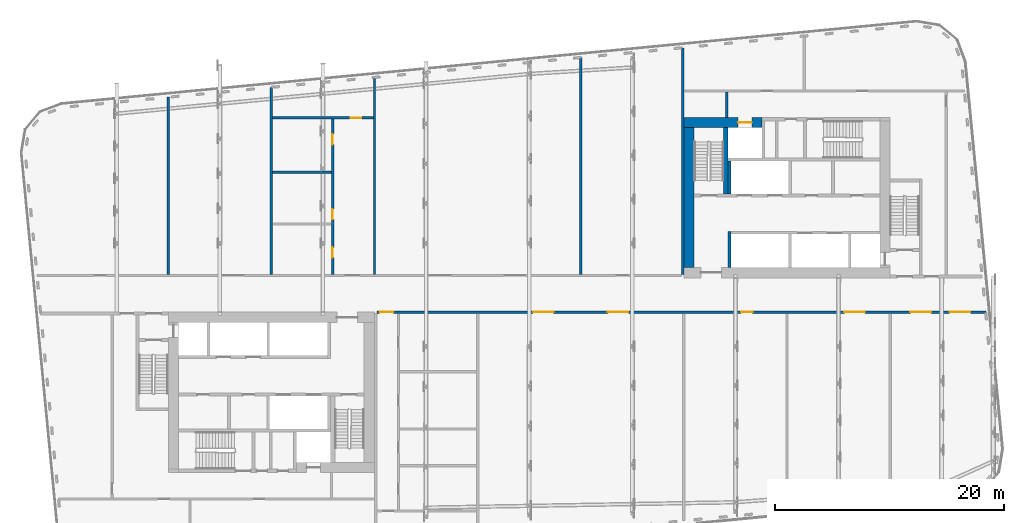
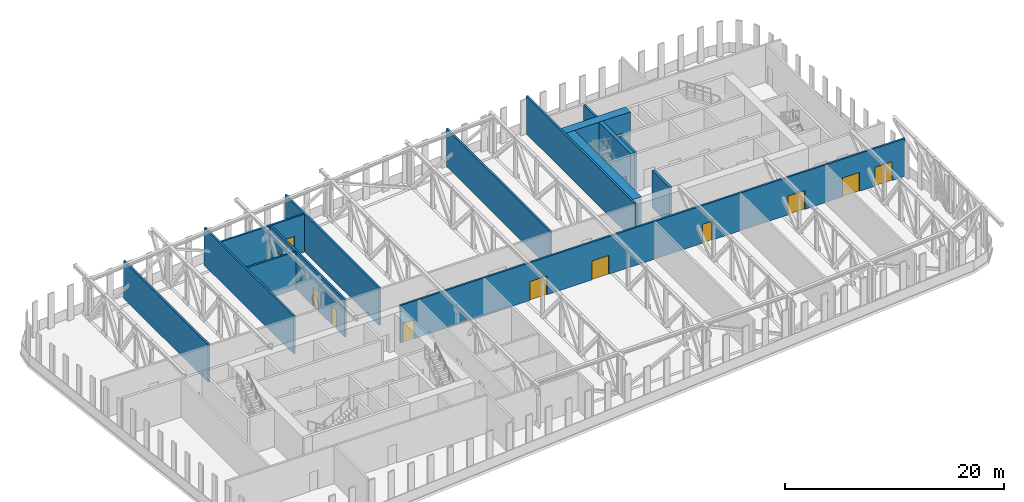
# One storey, part 10 of 26: 15 walls, 12 doors, 12 openings.
"""IFC4 building model written with IfcOpenShell, lengths in metres."""

from ifc_helpers import new_model, si_unit, direction, frame, frame_2d, origin, place, context, subcontext, project, spatial, rectangle, extrude, material, layer, layer_set, type_object, element, fill, save


model = new_model("IFC4")

# Units and contexts
model_context = context("Model", 3, precision=1e-05, world=origin(), true_north=direction((0.0, 1.0)))
body_context = subcontext(model_context, "Body", "Model", "MODEL_VIEW")
ifc_project = project(units=[si_unit("LENGTHUNIT", "METRE"), si_unit("AREAUNIT", "SQUARE_METRE"), si_unit("VOLUMEUNIT", "CUBIC_METRE"), si_unit("PLANEANGLEUNIT", "RADIAN"), si_unit("MASSUNIT", "GRAM", prefix="KILO")], contexts=[model_context])

# Site, building, storey
site_placement = place(None, origin())
site = spatial("IfcSite", under=ifc_project, at=site_placement, CompositionType="ELEMENT")
building_placement = place(site_placement, origin())
building = spatial("IfcBuilding", under=site, at=building_placement, Name="Kajstack Hotel Tower", CompositionType="ELEMENT")
storey_placement = place(building_placement, frame((0.0, 0.0, 206.5)))
storey = spatial("IfcBuildingStorey", under=building, at=storey_placement, Name="L50", CompositionType="ELEMENT", Elevation=206.5)

# Wall, opening, door
ifc_material_1 = material(Name="Concrete C60/75", Category="concrete")
ifc_layer_1 = layer(ifc_material_1, 0.89990234375)
ifc_layer_set_1 = layer_set([ifc_layer_1], Name="Core wall 900")
wall_type_1 = type_object("IfcWallType", Name="Core wall 900", PredefinedType="SHEAR", material=ifc_layer_set_1)
wall_1_placement = place(storey_placement, frame((13.5, 15.050048828125, 0.0), z_axis=(0.0, 0.0, 1.0), x_axis=(1.0, 0.0, 0.0)))
wall_1 = element("IfcWall", 1, at=wall_1_placement, inside=storey, type_object=wall_type_1, Name="Core wall E RS", PredefinedType="SHEAR", context=body_context, shape_type="SweptSolid", body=[
    extrude(rectangle(XDim=6.800048828125, YDim=0.89990234375, at=frame_2d((3.39990234375, 0.0))), origin(), (0.0, 0.0, 1.0), 4.199951171875),
])
opening_1_placement = place(wall_1_placement, frame((4.72509765625, 0.0, 0.0)))
opening_1 = element("IfcOpeningElement", 2, at=opening_1_placement, cuts=wall_1, Name="Opening LD-SV2", PredefinedType="OPENING", context=body_context, shape_type="SweptSolid", body=[
    extrude(rectangle(XDim=1.199951171875, YDim=2.10009765625, at=frame_2d((0.60009765625, 1.050048828125))), frame((0.0, 0.4599609375, 0.0), z_axis=(0.0, -1.0, 0.0), x_axis=(1.0, 0.0, 0.0)), (0.0, 0.0, 1.0), 0.919921875),
])
ifc_material_2 = material(Name="Stainless steel", Category="steel")
door_type_1 = type_object("IfcDoorType", Name="Lift landing door 1200", OperationType="SLIDING_TO_LEFT", PredefinedType="DOOR", material=ifc_material_2)
door_1_placement = place(opening_1_placement, origin())
door_1 = element("IfcDoor", 3, at=door_1_placement, inside=storey, type_object=door_type_1, Name="Landing door SV2", OperationType="SLIDING_TO_LEFT", OverallHeight=2.10009765625, OverallWidth=1.199951171875, PredefinedType="DOOR", context=body_context, shape_type="SweptSolid", body=[
    extrude(rectangle(XDim=1.199951171875, YDim=2.10009765625, at=frame_2d((0.60009765625, 1.050048828125))), frame((0.0, 0.02490234375, 0.0), z_axis=(0.0, -1.0, 0.0), x_axis=(1.0, 0.0, 0.0)), (0.0, 0.0, 1.0), 0.050048828125),
])
fill(opening_1, door_1)

# Walls
wall_2_placement = place(storey_placement, frame((13.949951171875, 2.39990234375, 0.0), z_axis=(0.0, 0.0, 1.0), x_axis=(0.0, 1.0, 0.0)))
element("IfcWall", 4, at=wall_2_placement, inside=storey, type_object=wall_type_1, Name="Core wall E RE", PredefinedType="SHEAR", context=body_context, shape_type="SweptSolid", body=[
    extrude(rectangle(XDim=12.2001953125, YDim=0.89990234375, at=frame_2d((6.10009765625, 0.0))), origin(), (0.0, 0.0, 1.0), 4.199951171875),
])
ifc_material_3 = material(Name="Gypsum board on steel studs, mineral wool", Category="steel")
ifc_layer_2 = layer(ifc_material_3, 0.199951171875)
ifc_layer_set_2 = layer_set([ifc_layer_2], Name="Public partition 200")
wall_type_2 = type_object("IfcWallType", Name="Public partition 200", PredefinedType="PARTITIONING", material=ifc_layer_set_2)
wall_3_placement = place(storey_placement, frame((4.5, 1.800048828125, 0.0), z_axis=(0.0, 0.0, 1.0), x_axis=(0.0, 1.0, 0.0)))
element("IfcWall", 5, at=wall_3_placement, inside=storey, type_object=wall_type_2, Name="Partition PX0", PredefinedType="PARTITIONING", context=body_context, shape_type="SweptSolid", body=[
    extrude(rectangle(XDim=18.922607421875, YDim=0.199951171875, at=frame_2d((9.46142578125, 0.0))), origin(), (0.0, 0.0, 1.0), 4.199951171875),
])
wall_4_placement = place(storey_placement, frame((-13.5, 1.800048828125, 0.0), z_axis=(0.0, 0.0, 1.0), x_axis=(0.0, 1.0, 0.0)))
element("IfcWall", 6, at=wall_4_placement, inside=storey, type_object=wall_type_2, Name="Partition PX1", PredefinedType="PARTITIONING", context=body_context, shape_type="SweptSolid", body=[
    extrude(rectangle(XDim=17.189453125, YDim=0.199951171875, at=frame_2d((8.5947265625, 0.0))), origin(), (0.0, 0.0, 1.0), 4.199951171875),
])

# Wall, openings, doors
wall_5_placement = place(storey_placement, frame((-17.14990234375, 1.800048828125, 0.0), z_axis=(0.0, 0.0, 1.0), x_axis=(0.0, 1.0, 0.0)))
wall_5 = element("IfcWall", 7, at=wall_5_placement, inside=storey, type_object=wall_type_2, Name="Partition C2CW", PredefinedType="PARTITIONING", context=body_context, shape_type="SweptSolid", body=[
    extrude(rectangle(XDim=13.55615234375, YDim=0.199951171875, at=frame_2d((6.778076171875, 0.0))), origin(), (0.0, 0.0, 1.0), 4.199951171875),
])
opening_2_placement = place(wall_5_placement, frame((1.449951171875, 0.0, 0.0)))
opening_2 = element("IfcOpeningElement", 8, at=opening_2_placement, cuts=wall_5, Name="Opening 50P05", PredefinedType="OPENING", context=body_context, shape_type="SweptSolid", body=[
    extrude(rectangle(XDim=0.89990234375, YDim=2.10009765625, at=frame_2d((0.449951171875, 1.050048828125))), frame((0.0, 0.10986328125, 0.0), z_axis=(0.0, -1.0, 0.0), x_axis=(1.0, 0.0, 0.0)), (0.0, 0.0, 1.0), 0.219970703125),
])
opening_3_placement = place(wall_5_placement, frame((4.800048828125, 0.0, 0.0)))
opening_3 = element("IfcOpeningElement", 9, at=opening_3_placement, cuts=wall_5, Name="Opening 50P06", PredefinedType="OPENING", context=body_context, shape_type="SweptSolid", body=[
    extrude(rectangle(XDim=0.89990234375, YDim=2.10009765625, at=frame_2d((0.449951171875, 1.050048828125))), frame((0.0, 0.10986328125, 0.0), z_axis=(0.0, -1.0, 0.0), x_axis=(1.0, 0.0, 0.0)), (0.0, 0.0, 1.0), 0.219970703125),
])
opening_4_placement = place(wall_5_placement, frame((11.327880859375, 0.0, 0.0)))
opening_4 = element("IfcOpeningElement", 10, at=opening_4_placement, cuts=wall_5, Name="Opening 50P07", PredefinedType="OPENING", context=body_context, shape_type="SweptSolid", body=[
    extrude(rectangle(XDim=0.89990234375, YDim=2.10009765625, at=frame_2d((0.449951171875, 1.050048828125))), frame((0.0, 0.10986328125, 0.0), z_axis=(0.0, -1.0, 0.0), x_axis=(1.0, 0.0, 0.0)), (0.0, 0.0, 1.0), 0.219970703125),
])
ifc_material_4 = material(Name="Timber leaf", Category="wood")
door_type_2 = type_object("IfcDoorType", Name="Public room door 900", OperationType="SINGLE_SWING_LEFT", PredefinedType="DOOR", material=ifc_material_4)
door_2_placement = place(opening_2_placement, origin())
door_2 = element("IfcDoor", 11, at=door_2_placement, inside=storey, type_object=door_type_2, Name="Door 50P05", OperationType="SINGLE_SWING_LEFT", OverallHeight=2.10009765625, OverallWidth=0.89990234375, PredefinedType="DOOR", context=body_context, shape_type="SweptSolid", body=[
    extrude(rectangle(XDim=0.89990234375, YDim=2.10009765625, at=frame_2d((0.449951171875, 1.050048828125))), frame((0.0, 0.02490234375, 0.0), z_axis=(0.0, -1.0, 0.0), x_axis=(1.0, 0.0, 0.0)), (0.0, 0.0, 1.0), 0.050048828125),
])
fill(opening_2, door_2)
door_3_placement = place(opening_3_placement, origin())
door_3 = element("IfcDoor", 12, at=door_3_placement, inside=storey, type_object=door_type_2, Name="Door 50P06", OperationType="SINGLE_SWING_LEFT", OverallHeight=2.10009765625, OverallWidth=0.89990234375, PredefinedType="DOOR", context=body_context, shape_type="SweptSolid", body=[
    extrude(rectangle(XDim=0.89990234375, YDim=2.10009765625, at=frame_2d((0.449951171875, 1.050048828125))), frame((0.0, 0.02490234375, 0.0), z_axis=(0.0, -1.0, 0.0), x_axis=(1.0, 0.0, 0.0)), (0.0, 0.0, 1.0), 0.050048828125),
])
fill(opening_3, door_3)
door_4_placement = place(opening_4_placement, origin())
door_4 = element("IfcDoor", 13, at=door_4_placement, inside=storey, type_object=door_type_2, Name="Door 50P07", OperationType="SINGLE_SWING_LEFT", OverallHeight=2.10009765625, OverallWidth=0.89990234375, PredefinedType="DOOR", context=body_context, shape_type="SweptSolid", body=[
    extrude(rectangle(XDim=0.89990234375, YDim=2.10009765625, at=frame_2d((0.449951171875, 1.050048828125))), frame((0.0, 0.02490234375, 0.0), z_axis=(0.0, -1.0, 0.0), x_axis=(1.0, 0.0, 0.0)), (0.0, 0.0, 1.0), 0.050048828125),
])
fill(opening_4, door_4)

# Wall
wall_6_placement = place(storey_placement, frame((-22.39990234375, 10.699951171875, 0.0), z_axis=(0.0, 0.0, 1.0), x_axis=(1.0, 0.0, 0.0)))
element("IfcWall", 14, at=wall_6_placement, inside=storey, type_object=wall_type_2, Name="Partition C2wP1", PredefinedType="PARTITIONING", context=body_context, shape_type="SweptSolid", body=[
    extrude(rectangle(XDim=5.14990234375, YDim=0.199951171875, at=frame_2d((2.574951171875, 0.0))), origin(), (0.0, 0.0, 1.0), 4.199951171875),
])

# Wall, opening, door
wall_7_placement = place(storey_placement, frame((-22.39990234375, 15.456298828125, 0.0), z_axis=(0.0, 0.0, 1.0), x_axis=(1.0, 0.0, 0.0)))
wall_7 = element("IfcWall", 15, at=wall_7_placement, inside=storey, type_object=wall_type_2, Name="Partition C2BW", PredefinedType="PARTITIONING", context=body_context, shape_type="SweptSolid", body=[
    extrude(rectangle(XDim=8.7998046875, YDim=0.199951171875, at=frame_2d((4.39990234375, 0.0))), origin(), (0.0, 0.0, 1.0), 4.199951171875),
])
opening_5_placement = place(wall_7_placement, frame((6.824951171875, 0.0, 0.0)))
opening_5 = element("IfcOpeningElement", 16, at=opening_5_placement, cuts=wall_7, Name="Opening 50P08", PredefinedType="OPENING", context=body_context, shape_type="SweptSolid", body=[
    extrude(rectangle(XDim=0.89990234375, YDim=2.10009765625, at=frame_2d((0.449951171875, 1.050048828125))), frame((0.0, 0.10986328125, 0.0), z_axis=(0.0, -1.0, 0.0), x_axis=(1.0, 0.0, 0.0)), (0.0, 0.0, 1.0), 0.219970703125),
])
door_5_placement = place(opening_5_placement, origin())
door_5 = element("IfcDoor", 17, at=door_5_placement, inside=storey, type_object=door_type_2, Name="Door 50P08", OperationType="SINGLE_SWING_LEFT", OverallHeight=2.10009765625, OverallWidth=0.89990234375, PredefinedType="DOOR", context=body_context, shape_type="SweptSolid", body=[
    extrude(rectangle(XDim=0.89990234375, YDim=2.10009765625, at=frame_2d((0.449951171875, 1.050048828125))), frame((0.0, 0.02490234375, 0.0), z_axis=(0.0, -1.0, 0.0), x_axis=(1.0, 0.0, 0.0)), (0.0, 0.0, 1.0), 0.050048828125),
])
fill(opening_5, door_5)

# Walls
wall_8_placement = place(storey_placement, frame((-22.5, 1.800048828125, 0.0), z_axis=(0.0, 0.0, 1.0), x_axis=(0.0, 1.0, 0.0)))
element("IfcWall", 18, at=wall_8_placement, inside=storey, type_object=wall_type_2, Name="Partition PX2", PredefinedType="PARTITIONING", context=body_context, shape_type="SweptSolid", body=[
    extrude(rectangle(XDim=16.322998046875, YDim=0.199951171875, at=frame_2d((8.16162109375, 0.0))), origin(), (0.0, 0.0, 1.0), 4.199951171875),
])
wall_9_placement = place(storey_placement, frame((-31.5, 1.800048828125, 0.0), z_axis=(0.0, 0.0, 1.0), x_axis=(0.0, 1.0, 0.0)))
element("IfcWall", 19, at=wall_9_placement, inside=storey, type_object=wall_type_2, Name="Partition PX3", PredefinedType="PARTITIONING", context=body_context, shape_type="SweptSolid", body=[
    extrude(rectangle(XDim=15.456298828125, YDim=0.199951171875, at=frame_2d((7.72802734375, 0.0))), origin(), (0.0, 0.0, 1.0), 4.199951171875),
])
wall_10_placement = place(storey_placement, frame((13.39990234375, 1.800048828125, 0.0), z_axis=(0.0, 0.0, 1.0), x_axis=(0.0, 1.0, 0.0)))
element("IfcWall", 20, at=wall_10_placement, inside=storey, type_object=wall_type_2, Name="Partition EW", PredefinedType="PARTITIONING", context=body_context, shape_type="SweptSolid", body=[
    extrude(rectangle(XDim=19.760498046875, YDim=0.199951171875, at=frame_2d((9.88037109375, 0.0))), origin(), (0.0, 0.0, 1.0), 4.199951171875),
])

# Wall, openings, doors
wall_11_placement = place(storey_placement, frame((-13.300048828125, -1.5, 0.0), z_axis=(0.0, 0.0, 1.0), x_axis=(1.0, 0.0, 0.0)))
wall_11 = element("IfcWall", 21, at=wall_11_placement, inside=storey, type_object=wall_type_2, Name="Partition SFW", PredefinedType="PARTITIONING", context=body_context, shape_type="SweptSolid", body=[
    extrude(rectangle(XDim=53.145751953125, YDim=0.199951171875, at=frame_2d((26.57275390625, 0.0))), origin(), (0.0, 0.0, 1.0), 4.199951171875),
])
opening_6_placement = place(wall_11_placement, frame((0.25, 0.0, 0.0)))
opening_6 = element("IfcOpeningElement", 22, at=opening_6_placement, cuts=wall_11, Name="Opening 50P11", PredefinedType="OPENING", context=body_context, shape_type="SweptSolid", body=[
    extrude(rectangle(XDim=1.199951171875, YDim=2.10009765625, at=frame_2d((0.60009765625, 1.050048828125))), frame((0.0, 0.10986328125, 0.0), z_axis=(0.0, -1.0, 0.0), x_axis=(1.0, 0.0, 0.0)), (0.0, 0.0, 1.0), 0.219970703125),
])
opening_7_placement = place(wall_11_placement, frame((13.639892578125, 0.0, 0.0)))
opening_7 = element("IfcOpeningElement", 23, at=opening_7_placement, cuts=wall_11, Name="Opening 50P17", PredefinedType="OPENING", context=body_context, shape_type="SweptSolid", body=[
    extrude(rectangle(XDim=1.800048828125, YDim=2.10009765625, at=frame_2d((0.89990234375, 1.050048828125))), frame((0.0, 0.10986328125, 0.0), z_axis=(0.0, -1.0, 0.0), x_axis=(1.0, 0.0, 0.0)), (0.0, 0.0, 1.0), 0.219970703125),
])
opening_8_placement = place(wall_11_placement, frame((20.159912109375, 0.0, 0.0)))
opening_8 = element("IfcOpeningElement", 24, at=opening_8_placement, cuts=wall_11, Name="Opening 50P18", PredefinedType="OPENING", context=body_context, shape_type="SweptSolid", body=[
    extrude(rectangle(XDim=1.800048828125, YDim=2.10009765625, at=frame_2d((0.89990234375, 1.050048828125))), frame((0.0, 0.10986328125, 0.0), z_axis=(0.0, -1.0, 0.0), x_axis=(1.0, 0.0, 0.0)), (0.0, 0.0, 1.0), 0.219970703125),
])
opening_9_placement = place(wall_11_placement, frame((31.800048828125, 0.0, 0.0)))
opening_9 = element("IfcOpeningElement", 25, at=opening_9_placement, cuts=wall_11, Name="Opening 50P19", PredefinedType="OPENING", context=body_context, shape_type="SweptSolid", body=[
    extrude(rectangle(XDim=1.0, YDim=2.10009765625, at=frame_2d((0.5, 1.050048828125))), frame((0.0, 0.10986328125, 0.0), z_axis=(0.0, -1.0, 0.0), x_axis=(1.0, 0.0, 0.0)), (0.0, 0.0, 1.0), 0.219970703125),
])
opening_10_placement = place(wall_11_placement, frame((40.800048828125, 0.0, 0.0)))
opening_10 = element("IfcOpeningElement", 26, at=opening_10_placement, cuts=wall_11, Name="Opening 50P20", PredefinedType="OPENING", context=body_context, shape_type="SweptSolid", body=[
    extrude(rectangle(XDim=1.800048828125, YDim=2.10009765625, at=frame_2d((0.89990234375, 1.050048828125))), frame((0.0, 0.10986328125, 0.0), z_axis=(0.0, -1.0, 0.0), x_axis=(1.0, 0.0, 0.0)), (0.0, 0.0, 1.0), 0.219970703125),
])
opening_11_placement = place(wall_11_placement, frame((46.572021484375, 0.0, 0.0)))
opening_11 = element("IfcOpeningElement", 27, at=opening_11_placement, cuts=wall_11, Name="Opening 50P21", PredefinedType="OPENING", context=body_context, shape_type="SweptSolid", body=[
    extrude(rectangle(XDim=1.800048828125, YDim=2.10009765625, at=frame_2d((0.89990234375, 1.050048828125))), frame((0.0, 0.10986328125, 0.0), z_axis=(0.0, -1.0, 0.0), x_axis=(1.0, 0.0, 0.0)), (0.0, 0.0, 1.0), 0.219970703125),
])
opening_12_placement = place(wall_11_placement, frame((50.0009765625, 0.0, 0.0)))
opening_12 = element("IfcOpeningElement", 28, at=opening_12_placement, cuts=wall_11, Name="Opening 50P22", PredefinedType="OPENING", context=body_context, shape_type="SweptSolid", body=[
    extrude(rectangle(XDim=1.800048828125, YDim=2.10009765625, at=frame_2d((0.89990234375, 1.050048828125))), frame((0.0, 0.10986328125, 0.0), z_axis=(0.0, -1.0, 0.0), x_axis=(1.0, 0.0, 0.0)), (0.0, 0.0, 1.0), 0.219970703125),
])
ifc_material_5 = material(Name="Timber leaf, fire-rated", Category="wood")
door_type_3 = type_object("IfcDoorType", Name="Public corridor door 1200", OperationType="SINGLE_SWING_LEFT", PredefinedType="DOOR", material=ifc_material_5)
door_6_placement = place(opening_6_placement, origin())
door_6 = element("IfcDoor", 29, at=door_6_placement, inside=storey, type_object=door_type_3, Name="Door 50P11", OperationType="SINGLE_SWING_RIGHT", OverallHeight=2.10009765625, OverallWidth=1.199951171875, PredefinedType="DOOR", context=body_context, shape_type="SweptSolid", body=[
    extrude(rectangle(XDim=1.199951171875, YDim=2.10009765625, at=frame_2d((0.60009765625, 1.050048828125))), frame((0.0, 0.02490234375, 0.0), z_axis=(0.0, -1.0, 0.0), x_axis=(1.0, 0.0, 0.0)), (0.0, 0.0, 1.0), 0.050048828125),
])
fill(opening_6, door_6)
ifc_material_6 = material(Name="Glazed timber frame, fire-rated glass", Category="wood")
door_type_4 = type_object("IfcDoorType", Name="Public double door 1800", OperationType="DOUBLE_DOOR_DOUBLE_SWING", PredefinedType="DOOR", material=ifc_material_6)
door_7_placement = place(opening_7_placement, origin())
door_7 = element("IfcDoor", 30, at=door_7_placement, inside=storey, type_object=door_type_4, Name="Door 50P17", OperationType="DOUBLE_DOOR_DOUBLE_SWING", OverallHeight=2.10009765625, OverallWidth=1.800048828125, PredefinedType="DOOR", context=body_context, shape_type="SweptSolid", body=[
    extrude(rectangle(XDim=1.800048828125, YDim=2.10009765625, at=frame_2d((0.89990234375, 1.050048828125))), frame((0.0, 0.02490234375, 0.0), z_axis=(0.0, -1.0, 0.0), x_axis=(1.0, 0.0, 0.0)), (0.0, 0.0, 1.0), 0.050048828125),
])
fill(opening_7, door_7)
door_8_placement = place(opening_8_placement, origin())
door_8 = element("IfcDoor", 31, at=door_8_placement, inside=storey, type_object=door_type_4, Name="Door 50P18", OperationType="DOUBLE_DOOR_DOUBLE_SWING", OverallHeight=2.10009765625, OverallWidth=1.800048828125, PredefinedType="DOOR", context=body_context, shape_type="SweptSolid", body=[
    extrude(rectangle(XDim=1.800048828125, YDim=2.10009765625, at=frame_2d((0.89990234375, 1.050048828125))), frame((0.0, 0.02490234375, 0.0), z_axis=(0.0, -1.0, 0.0), x_axis=(1.0, 0.0, 0.0)), (0.0, 0.0, 1.0), 0.050048828125),
])
fill(opening_8, door_8)
door_9_placement = place(opening_10_placement, origin())
door_9 = element("IfcDoor", 32, at=door_9_placement, inside=storey, type_object=door_type_4, Name="Door 50P20", OperationType="DOUBLE_DOOR_DOUBLE_SWING", OverallHeight=2.10009765625, OverallWidth=1.800048828125, PredefinedType="DOOR", context=body_context, shape_type="SweptSolid", body=[
    extrude(rectangle(XDim=1.800048828125, YDim=2.10009765625, at=frame_2d((0.89990234375, 1.050048828125))), frame((0.0, 0.02490234375, 0.0), z_axis=(0.0, -1.0, 0.0), x_axis=(1.0, 0.0, 0.0)), (0.0, 0.0, 1.0), 0.050048828125),
])
fill(opening_10, door_9)
door_10_placement = place(opening_11_placement, origin())
door_10 = element("IfcDoor", 33, at=door_10_placement, inside=storey, type_object=door_type_4, Name="Door 50P21", OperationType="DOUBLE_DOOR_DOUBLE_SWING", OverallHeight=2.10009765625, OverallWidth=1.800048828125, PredefinedType="DOOR", context=body_context, shape_type="SweptSolid", body=[
    extrude(rectangle(XDim=1.800048828125, YDim=2.10009765625, at=frame_2d((0.89990234375, 1.050048828125))), frame((0.0, 0.02490234375, 0.0), z_axis=(0.0, -1.0, 0.0), x_axis=(1.0, 0.0, 0.0)), (0.0, 0.0, 1.0), 0.050048828125),
])
fill(opening_11, door_10)
door_11_placement = place(opening_12_placement, origin())
door_11 = element("IfcDoor", 34, at=door_11_placement, inside=storey, type_object=door_type_4, Name="Door 50P22", OperationType="DOUBLE_DOOR_DOUBLE_SWING", OverallHeight=2.10009765625, OverallWidth=1.800048828125, PredefinedType="DOOR", context=body_context, shape_type="SweptSolid", body=[
    extrude(rectangle(XDim=1.800048828125, YDim=2.10009765625, at=frame_2d((0.89990234375, 1.050048828125))), frame((0.0, 0.02490234375, 0.0), z_axis=(0.0, -1.0, 0.0), x_axis=(1.0, 0.0, 0.0)), (0.0, 0.0, 1.0), 0.050048828125),
])
fill(opening_12, door_11)
door_type_5 = type_object("IfcDoorType", Name="Public room door 1000", OperationType="SINGLE_SWING_LEFT", PredefinedType="DOOR", material=ifc_material_4)
door_12_placement = place(opening_9_placement, origin())
door_12 = element("IfcDoor", 35, at=door_12_placement, inside=storey, type_object=door_type_5, Name="Door 50P19", OperationType="SINGLE_SWING_RIGHT", OverallHeight=2.10009765625, OverallWidth=1.0, PredefinedType="DOOR", context=body_context, shape_type="SweptSolid", body=[
    extrude(rectangle(XDim=1.0, YDim=2.10009765625, at=frame_2d((0.5, 1.050048828125))), frame((0.0, 0.02490234375, 0.0), z_axis=(0.0, -1.0, 0.0), x_axis=(1.0, 0.0, 0.0)), (0.0, 0.0, 1.0), 0.050048828125),
])
fill(opening_9, door_12)

# Walls
ifc_layer_3 = layer(ifc_material_3, 0.199951171875)
ifc_layer_set_3 = layer_set([ifc_layer_3], Name="Service partition 200")
wall_type_3 = type_object("IfcWallType", Name="Service partition 200", PredefinedType="PARTITIONING", material=ifc_layer_set_3)
wall_12_placement = place(storey_placement, frame((17.25, 15.5, 0.0), z_axis=(0.0, 0.0, 1.0), x_axis=(0.0, 1.0, 0.0)))
element("IfcWall", 36, at=wall_12_placement, inside=storey, type_object=wall_type_3, Name="Partition E SCE", PredefinedType="PARTITIONING", context=body_context, shape_type="SweptSolid", body=[
    extrude(rectangle(XDim=2.199951171875, YDim=0.199951171875, at=frame_2d((1.10009765625, 0.0))), origin(), (0.0, 0.0, 1.0), 4.199951171875),
])
ifc_material_7 = material(Name="Concrete C50/60", Category="concrete")
ifc_layer_4 = layer(ifc_material_7, 0.25)
ifc_layer_set_4 = layer_set([ifc_layer_4], Name="Shaft wall 250")
wall_type_4 = type_object("IfcWallType", Name="Shaft wall 250", PredefinedType="SHEAR", material=ifc_layer_set_4)
wall_13_placement = place(storey_placement, frame((17.47509765625, 2.39990234375, 0.0), z_axis=(0.0, 0.0, 1.0), x_axis=(0.0, 1.0, 0.0)))
element("IfcWall", 37, at=wall_13_placement, inside=storey, type_object=wall_type_4, Name="Core wall E AE", PredefinedType="SHEAR", context=body_context, shape_type="SweptSolid", body=[
    extrude(rectangle(XDim=3.150146484375, YDim=0.25, at=frame_2d((1.5751953125, 0.0))), origin(), (0.0, 0.0, 1.0), 4.199951171875),
])
wall_14_placement = place(storey_placement, frame((17.47509765625, 8.800048828125, 0.0), z_axis=(0.0, 0.0, 1.0), x_axis=(0.0, 1.0, 0.0)))
element("IfcWall", 38, at=wall_14_placement, inside=storey, type_object=wall_type_4, Name="Core wall E BE", PredefinedType="SHEAR", context=body_context, shape_type="SweptSolid", body=[
    extrude(rectangle(XDim=2.89990234375, YDim=0.25, at=frame_2d((1.449951171875, 0.0))), origin(), (0.0, 0.0, 1.0), 4.199951171875),
])
ifc_layer_5 = layer(ifc_material_7, 0.39990234375)
ifc_layer_set_5 = layer_set([ifc_layer_5], Name="Stair wall 400")
wall_type_5 = type_object("IfcWallType", Name="Stair wall 400", PredefinedType="SHEAR", material=ifc_layer_set_5)
wall_15_placement = place(storey_placement, frame((17.14990234375, 8.800048828125, 0.0), z_axis=(0.0, 0.0, 1.0), x_axis=(0.0, 1.0, 0.0)))
element("IfcWall", 39, at=wall_15_placement, inside=storey, type_object=wall_type_5, Name="Core wall E WW2", PredefinedType="SHEAR", context=body_context, shape_type="SweptSolid", body=[
    extrude(rectangle(XDim=5.800048828125, YDim=0.39990234375, at=frame_2d((2.89990234375, 0.0))), origin(), (0.0, 0.0, 1.0), 4.199951171875),
])

save(model, "model.ifc")
